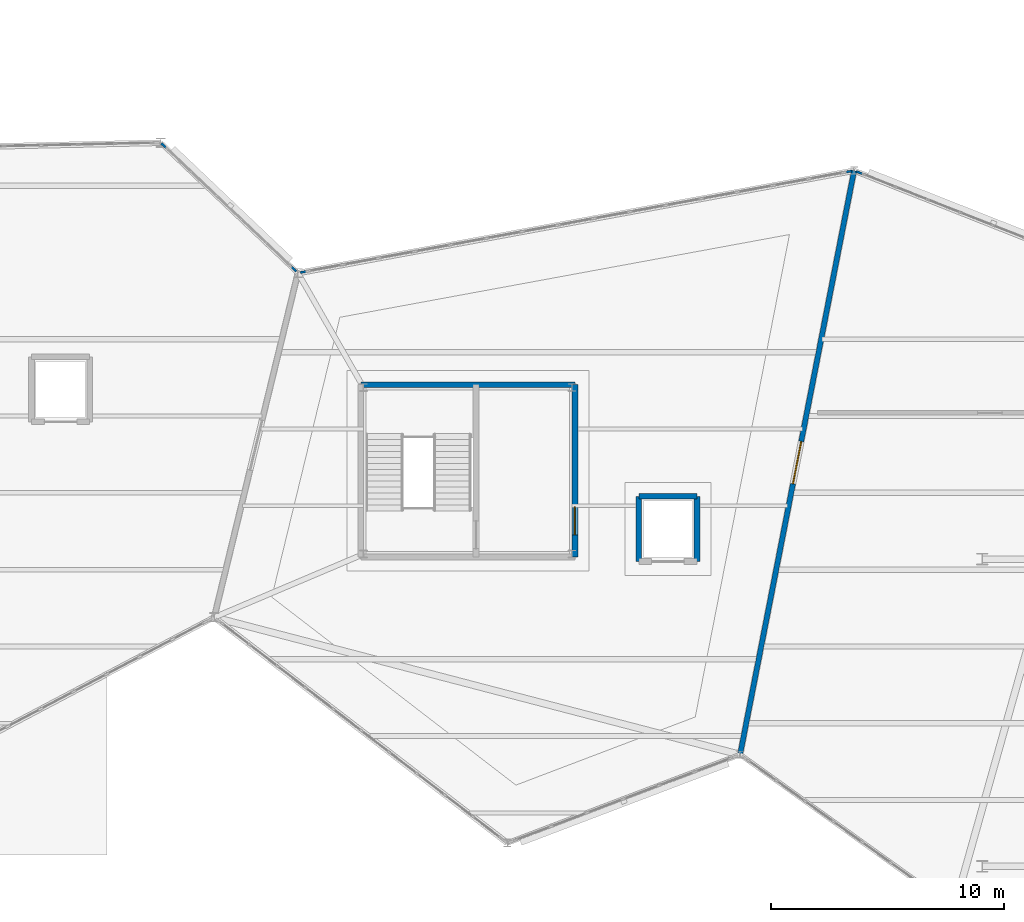
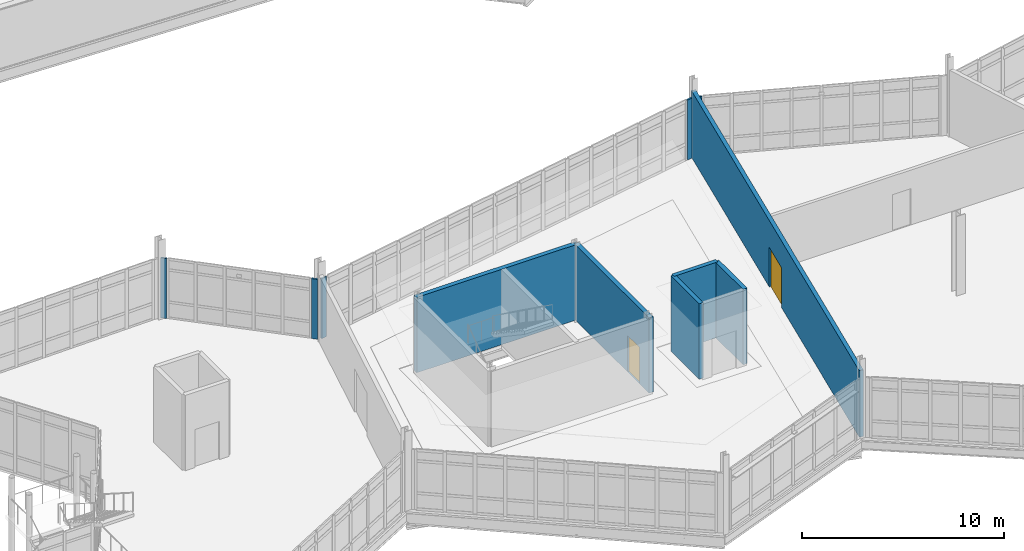
# One storey, part 110 of 134: 11 walls, 2 doors, 2 openings.
"""IFC4 building model written with IfcOpenShell, lengths in metres."""

from ifc_helpers import new_model, si_unit, direction, frame, frame_2d, origin, place, context, subcontext, project, spatial, rectangle, extrude, material, layer, layer_set, type_object, element, fill, save


model = new_model("IFC4")

# Units and contexts
model_context = context("Model", 3, precision=1e-05, world=origin(), true_north=direction((0.0, 1.0)))
body_context = subcontext(model_context, "Body", "Model", "MODEL_VIEW")
ifc_project = project(units=[si_unit("LENGTHUNIT", "METRE"), si_unit("AREAUNIT", "SQUARE_METRE"), si_unit("VOLUMEUNIT", "CUBIC_METRE"), si_unit("PLANEANGLEUNIT", "RADIAN"), si_unit("MASSUNIT", "GRAM", prefix="KILO")], contexts=[model_context])

# Site, building, storey
site_placement = place(None, origin())
site = spatial("IfcSite", under=ifc_project, at=site_placement, CompositionType="ELEMENT")
building_placement = place(site_placement, origin())
building = spatial("IfcBuilding", under=site, at=building_placement, Name="Tameran Prism Museum", CompositionType="ELEMENT")
storey_placement = place(building_placement, frame((0.0, 0.0, 5.39990234375)))
storey = spatial("IfcBuildingStorey", under=building, at=storey_placement, Name="L01", CompositionType="ELEMENT", Elevation=5.39990234375)

# Walls
ifc_material_1 = material(Name="Precast Concrete N40 (40 MPa)", Category="concrete")
ifc_layer_1 = layer(ifc_material_1, 0.094970703125)
ifc_layer_set_1 = layer_set([ifc_layer_1])
wall_type_1 = type_object("IfcWallType", Name="EW-CLOS-095", PredefinedType="SOLIDWALL", material=ifc_layer_set_1)
for number, where, z_axis, x_axis, name in (
    (1, (95.830078125, 48.571044921875, 0.0), (0.0, 0.0, 1.0), (0.725848676719, -0.687854416651, 0.0), "Facade Corner Closure EW-0195"),
    (2, (101.403076171875, 43.281982421875, 0.0), (0.0, 0.0, 1.0), (0.726243974232, -0.687437044311, 0.0), "Facade Corner Closure EW-0196"),
):
    element("IfcWall", number, at=place(storey_placement, frame(where, z_axis=z_axis, x_axis=x_axis)), inside=storey, type_object=wall_type_1, Name=name, PredefinedType="SOLIDWALL", context=body_context, shape_type="SweptSolid", body=[
        extrude(rectangle(XDim=0.308349609375, YDim=0.094970703125, at=frame_2d((0.154296875, 0.0))), origin(), (0.0, 0.0, 1.0), 3.6201171875),
    ])
for number, where, z_axis, x_axis, name in (
    (3, (101.800048828125, 43.01904296875, 0.0), (0.0, 0.0, 1.0), (0.983958590936, 0.178397004803, 0.0), "Facade Corner Closure EW-0209"),
    (4, (125.193115234375, 47.324951171875, 0.0), (0.0, 0.0, 1.0), (0.983958590936, 0.178397004803, 0.0), "Facade Corner Closure EW-0210"),
):
    element("IfcWall", number, at=place(storey_placement, frame(where, z_axis=z_axis, x_axis=x_axis)), inside=storey, type_object=wall_type_1, Name=name, PredefinedType="SOLIDWALL", context=body_context, shape_type="SweptSolid", body=[
        extrude(rectangle(XDim=0.307861328125, YDim=0.094970703125, at=frame_2d((0.15380859375, 0.0))), origin(), (0.0, 0.0, 1.0), 3.6201171875),
    ])
wall_1_placement = place(storey_placement, frame((125.696044921875, 47.363037109375, 0.0), z_axis=(0.0, 0.0, 1.0), x_axis=(0.929292597209, -0.369344376933, 0.0)))
element("IfcWall", 5, at=wall_1_placement, inside=storey, type_object=wall_type_1, Name="Facade Corner Closure EW-0211", PredefinedType="SOLIDWALL", context=body_context, shape_type="SweptSolid", body=[
    extrude(rectangle(XDim=0.30859375, YDim=0.094970703125, at=frame_2d((0.154296875, 0.0))), origin(), (0.0, 0.0, 1.0), 3.6201171875),
])

# Wall, opening, door
ifc_material_2 = material(Name="Concrete N40 (40 MPa)", Category="concrete")
ifc_layer_2 = layer(ifc_material_2, 0.22509765625)
ifc_layer_set_2 = layer_set([ifc_layer_2])
wall_type_2 = type_object("IfcWallType", Name="IW-CMP-225", PredefinedType="SOLIDWALL", material=ifc_layer_set_2)
wall_2_placement = place(storey_placement, frame((120.699951171875, 22.300048828125, 0.0), z_axis=(0.0, 0.0, 1.0), x_axis=(0.191608827438, 0.981471373626, 0.0)))
wall_2 = element("IfcWall", 6, at=wall_2_placement, inside=storey, type_object=wall_type_2, Name="Compartment Wall IW-0087", PredefinedType="SOLIDWALL", context=body_context, shape_type="SweptSolid", body=[
    extrude(rectangle(XDim=25.57373046875, YDim=0.22509765625, at=frame_2d((12.786865234375, 0.0))), origin(), (0.0, 0.0, 1.0), 4.02001953125),
])
opening_1_placement = place(wall_2_placement, frame((11.862060546875, 0.0, 0.0)))
opening_1 = element("IfcOpeningElement", 7, at=opening_1_placement, cuts=wall_2, Name="Opening ID-0086", PredefinedType="OPENING", context=body_context, shape_type="SweptSolid", body=[
    extrude(rectangle(XDim=1.85009765625, YDim=2.39990234375, at=frame_2d((0.925048828125, 1.199951171875))), frame((0.0, 0.12255859375, 0.0), z_axis=(0.0, -1.0, 0.0), x_axis=(1.0, 0.0, 0.0)), (0.0, 0.0, 1.0), 0.2451171875),
])
ifc_material_3 = material(Name="Fire-Rated Steel Door Leaf and Frame", Category="steel")
door_type_1 = type_object("IfcDoorType", Name="DR-GAL-185", OperationType="DOUBLE_DOOR_SINGLE_SWING", PredefinedType="DOOR", material=ifc_material_3)
door_1_placement = place(opening_1_placement, origin())
door_1 = element("IfcDoor", 8, at=door_1_placement, inside=storey, type_object=door_type_1, Name="Compartment Door ID-0086", OperationType="DOUBLE_DOOR_SINGLE_SWING", OverallHeight=2.39990234375, OverallWidth=1.85009765625, PredefinedType="DOOR", context=body_context, shape_type="SweptSolid", body=[
    extrude(rectangle(XDim=1.85009765625, YDim=2.39990234375, at=frame_2d((0.925048828125, 1.199951171875))), frame((0.0, 0.02490234375, 0.0), z_axis=(0.0, -1.0, 0.0), x_axis=(1.0, 0.0, 0.0)), (0.0, 0.0, 1.0), 0.050048828125),
])
fill(opening_1, door_1)

# Wall
ifc_material_4 = material(Name="Concrete N40 (40 MPa)", Category="concrete")
ifc_layer_3 = layer(ifc_material_4, 0.25)
ifc_layer_set_3 = layer_set([ifc_layer_3])
wall_type_3 = type_object("IfcWallType", Name="IW-COR-250", PredefinedType="SHEAR", material=ifc_layer_set_3)
wall_3_placement = place(storey_placement, frame((104.39990234375, 38.199951171875, 0.0), z_axis=(0.0, 0.0, 1.0), x_axis=(1.0, 0.0, 0.0)))
element("IfcWall", 9, at=wall_3_placement, inside=storey, type_object=wall_type_3, Name="Core Shear Wall CW-4-L01-N", PredefinedType="SHEAR", context=body_context, shape_type="SweptSolid", body=[
    extrude(rectangle(XDim=9.2001953125, YDim=0.25, at=frame_2d((4.60009765625, 0.0))), origin(), (0.0, 0.0, 1.0), 4.56005859375),
])

# Wall, opening, door
wall_4_placement = place(storey_placement, frame((113.60009765625, 38.199951171875, 0.0), z_axis=(0.0, 0.0, 1.0), x_axis=(0.0, -1.0, 0.0)))
wall_4 = element("IfcWall", 10, at=wall_4_placement, inside=storey, type_object=wall_type_3, Name="Core Shear Wall CW-4-L01-E", PredefinedType="SHEAR", context=body_context, shape_type="SweptSolid", body=[
    extrude(rectangle(XDim=7.39990234375, YDim=0.25, at=frame_2d((3.699951171875, 0.0))), origin(), (0.0, 0.0, 1.0), 4.56005859375),
])
opening_2_placement = place(wall_4_placement, frame((5.25, 0.0, 0.0)))
opening_2 = element("IfcOpeningElement", 11, at=opening_2_placement, cuts=wall_4, Name="Opening FD-0237", PredefinedType="OPENING", context=body_context, shape_type="SweptSolid", body=[
    extrude(rectangle(XDim=1.199951171875, YDim=2.199951171875, at=frame_2d((0.60009765625, 1.10009765625))), frame((0.0, 0.135009765625, 0.0), z_axis=(0.0, -1.0, 0.0), x_axis=(1.0, 0.0, 0.0)), (0.0, 0.0, 1.0), 0.27001953125),
])
ifc_material_5 = material(Name="Fire-Rated Steel Door Leaf and Frame", Category="steel")
door_type_2 = type_object("IfcDoorType", Name="DR-FD-120A", OperationType="NOTDEFINED", PredefinedType="DOOR", material=ifc_material_5)
door_2_placement = place(opening_2_placement, origin())
door_2 = element("IfcDoor", 12, at=door_2_placement, inside=storey, type_object=door_type_2, Name="Core Fire Door FD-0237", OperationType="SINGLE_SWING_LEFT", OverallHeight=2.199951171875, OverallWidth=1.199951171875, PredefinedType="DOOR", context=body_context, shape_type="SweptSolid", body=[
    extrude(rectangle(XDim=1.199951171875, YDim=2.199951171875, at=frame_2d((0.60009765625, 1.10009765625))), frame((0.0, 0.02490234375, 0.0), z_axis=(0.0, -1.0, 0.0), x_axis=(1.0, 0.0, 0.0)), (0.0, 0.0, 1.0), 0.050048828125),
])
fill(opening_2, door_2)

# Walls
ifc_material_6 = material(Name="Concrete N40 (40 MPa)", Category="concrete")
ifc_layer_4 = layer(ifc_material_6, 0.239990234375)
ifc_layer_set_4 = layer_set([ifc_layer_4])
wall_type_4 = type_object("IfcWallType", Name="IW-LFT-240", PredefinedType="SHEAR", material=ifc_layer_set_4)
wall_5_placement = place(storey_placement, frame((116.35009765625, 33.39990234375, 0.0), z_axis=(0.0, 0.0, 1.0), x_axis=(1.0, 0.0, 0.0)))
element("IfcWall", 13, at=wall_5_placement, inside=storey, type_object=wall_type_4, Name="Lift Shaft Wall LW-PL03-L01N", PredefinedType="SHEAR", context=body_context, shape_type="SweptSolid", body=[
    extrude(rectangle(XDim=2.5, YDim=0.239990234375, at=frame_2d((1.25, 0.0))), origin(), (0.0, 0.0, 1.0), 4.56005859375),
])
for number, where, z_axis, x_axis, name in (
    (14, (118.85009765625, 33.39990234375, 0.0), (0.0, 0.0, 1.0), (0.0, -1.0, 0.0), "Lift Shaft Wall LW-PL03-L01E"),
    (15, (116.35009765625, 30.60009765625, 0.0), (0.0, 0.0, 1.0), (0.0, 1.0, 0.0), "Lift Shaft Wall LW-PL03-L01W"),
):
    element("IfcWall", number, at=place(storey_placement, frame(where, z_axis=z_axis, x_axis=x_axis)), inside=storey, type_object=wall_type_4, Name=name, PredefinedType="SHEAR", context=body_context, shape_type="SweptSolid", body=[
        extrude(rectangle(XDim=2.7998046875, YDim=0.239990234375, at=frame_2d((1.39990234375, 0.0))), origin(), (0.0, 0.0, 1.0), 4.56005859375),
    ])

save(model, "model.ifc")
